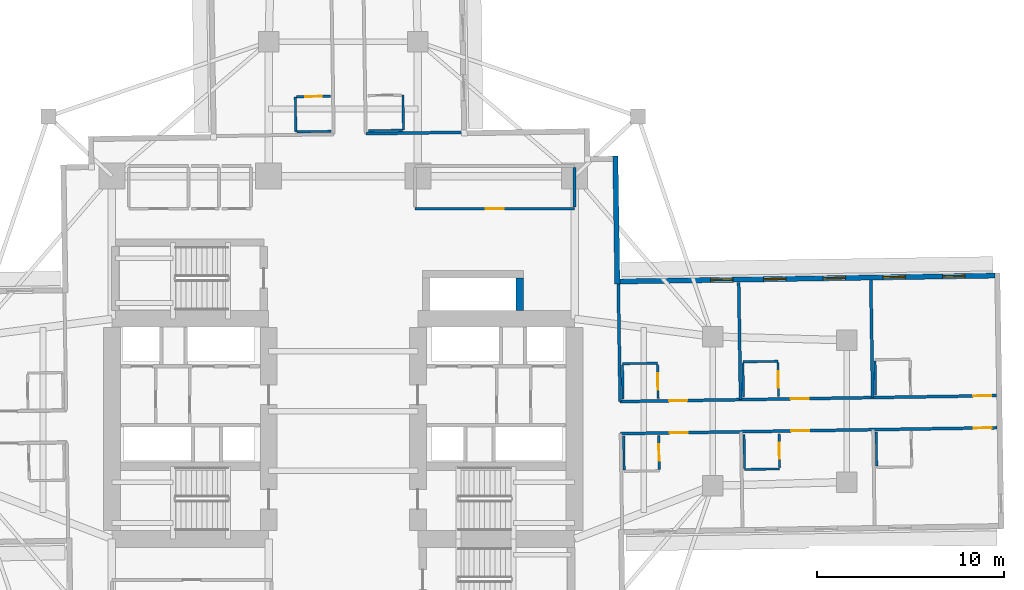
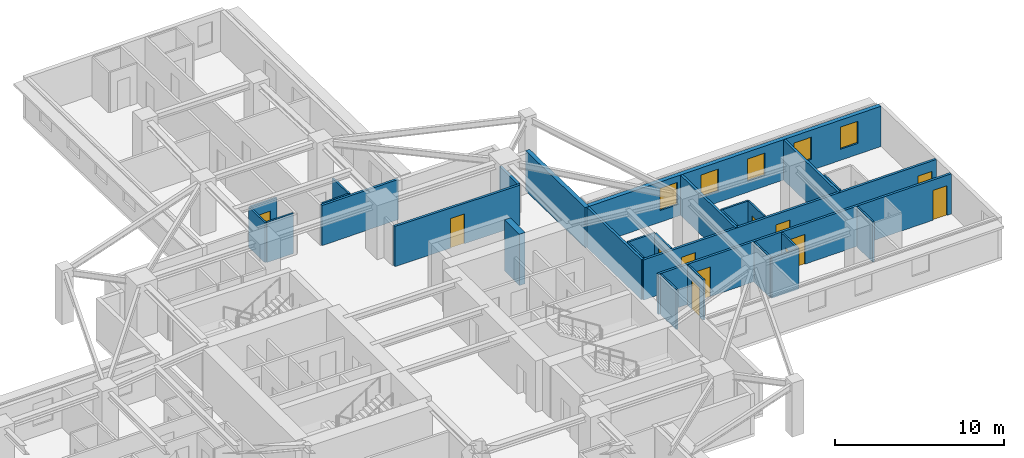
# One storey, part 7 of 14: 29 walls, 12 doors, 5 windows, 17 openings.
"""IFC4 building model written with IfcOpenShell, lengths in metres."""

from ifc_helpers import new_model, si_unit, direction, frame, frame_2d, origin, place, context, subcontext, project, spatial, rectangle, extrude, material, layer, layer_set, type_object, element, fill, save


model = new_model("IFC4")

# Units and contexts
model_context = context("Model", 3, precision=1e-05, world=origin(), true_north=direction((0.0, 1.0)))
body_context = subcontext(model_context, "Body", "Model", "MODEL_VIEW")
ifc_project = project(units=[si_unit("LENGTHUNIT", "METRE"), si_unit("AREAUNIT", "SQUARE_METRE"), si_unit("VOLUMEUNIT", "CUBIC_METRE"), si_unit("PLANEANGLEUNIT", "RADIAN"), si_unit("MASSUNIT", "GRAM", prefix="KILO")], contexts=[model_context])

# Site, building, storey
site_placement = place(None, origin())
site = spatial("IfcSite", under=ifc_project, at=site_placement, CompositionType="ELEMENT")
building_placement = place(site_placement, origin())
building = spatial("IfcBuilding", under=site, at=building_placement, Name="Qingluan Cross Belvedere", CompositionType="ELEMENT")
storey_placement = place(building_placement, frame((0.0, 0.0, 60.0)))
storey = spatial("IfcBuildingStorey", under=building, at=storey_placement, Name="L15", CompositionType="ELEMENT", Elevation=60.0)

# Wall
ifc_material_1 = material(Name="Concrete C50", Category="concrete")
ifc_layer_1 = layer(ifc_material_1, 0.449951171875, Name="CoreShearWall_450")
ifc_layer_set_1 = layer_set([ifc_layer_1], Name="Concrete C50")
wall_type_1 = type_object("IfcWallType", Name="CoreShearWall_450", PredefinedType="SHEAR", material=ifc_layer_set_1)
wall_1_placement = place(storey_placement, frame((9.449951171875, 5.405029296875, 0.0), z_axis=(0.0, 0.0, 1.0), x_axis=(0.0, 1.0, 0.0)))
element("IfcWall", 1, at=wall_1_placement, inside=storey, type_object=wall_type_1, Name="Express shuttle core wall L15-E", PredefinedType="SHEAR", context=body_context, shape_type="SweptSolid", body=[
    extrude(rectangle(XDim=1.73486328125, YDim=0.39990234375, at=frame_2d((0.867431640625, 0.0))), origin(), (0.0, 0.0, 1.0), 3.699951171875),
])

# Wall, opening, door
ifc_material_2 = material(Name="Gypsum plasterboard on steel stud acoustic partition", Category="steel")
ifc_layer_2 = layer(ifc_material_2, 0.159912109375, Name="CorridorPartition_160")
ifc_layer_set_2 = layer_set([ifc_layer_2], Name="Gypsum plasterboard on steel stud acoustic partition")
wall_type_2 = type_object("IfcWallType", Name="CorridorPartition_160", PredefinedType="PARTITIONING", material=ifc_layer_set_2)
wall_2_placement = place(storey_placement, frame((3.85009765625, 10.85009765625, 0.0), z_axis=(0.0, 0.0, 1.0), x_axis=(1.0, 0.0, 0.0)))
wall_2 = element("IfcWall", 2, at=wall_2_placement, inside=storey, type_object=wall_type_2, Name="Partition L15:q_ne:S", PredefinedType="PARTITIONING", context=body_context, shape_type="SweptSolid", body=[
    extrude(rectangle(XDim=8.5498046875, YDim=0.159912109375, at=frame_2d((4.27490234375, 0.0))), origin(), (0.0, 0.0, 1.0), 2.89990234375),
])
opening_1_placement = place(wall_2_placement, frame((3.794921875, 0.0, 0.0)))
opening_1 = element("IfcOpeningElement", 3, at=opening_1_placement, cuts=wall_2, Name="Opening GD-10", PredefinedType="OPENING", context=body_context, shape_type="SweptSolid", body=[
    extrude(rectangle(XDim=0.9599609375, YDim=2.14990234375, at=frame_2d((0.47998046875, 1.074951171875))), frame((0.0, 0.08984375, 0.0), z_axis=(0.0, -1.0, 0.0), x_axis=(1.0, 0.0, 0.0)), (0.0, 0.0, 1.0), 0.179931640625),
])
ifc_material_3 = material(Name="Timber oak fire-rated acoustic guestroom door", Category="wood")
door_type_1 = type_object("IfcDoorType", Name="GuestEntryDoor_FD60", OperationType="NOTDEFINED", PredefinedType="DOOR", material=ifc_material_3)
door_1_placement = place(opening_1_placement, origin())
door_1 = element("IfcDoor", 4, at=door_1_placement, inside=storey, type_object=door_type_1, Name="Wellness yoga studio L15 door", OperationType="SINGLE_SWING_LEFT", OverallHeight=2.14990234375, OverallWidth=0.9599609375, PredefinedType="DOOR", context=body_context, shape_type="SweptSolid", body=[
    extrude(rectangle(XDim=0.9599609375, YDim=2.14990234375, at=frame_2d((0.47998046875, 1.074951171875))), frame((0.0, 0.02490234375, 0.0), z_axis=(0.0, -1.0, 0.0), x_axis=(1.0, 0.0, 0.0)), (0.0, 0.0, 1.0), 0.050048828125),
])
fill(opening_1, door_1)

# Wall
wall_3_placement = place(storey_placement, frame((12.39990234375, 10.93505859375, 0.0), z_axis=(0.0, 0.0, 1.0), x_axis=(0.0, 1.0, 0.0)))
element("IfcWall", 5, at=wall_3_placement, inside=storey, type_object=wall_type_2, Name="Partition L15:q_ne:E", PredefinedType="PARTITIONING", context=body_context, shape_type="SweptSolid", body=[
    extrude(rectangle(XDim=2.1298828125, YDim=0.159912109375, at=frame_2d((1.06494140625, 0.0))), origin(), (0.0, 0.0, 1.0), 2.89990234375),
])

# Wall, openings, doors
wall_4_placement = place(storey_placement, frame((14.84375, 0.51318359375, 0.0), z_axis=(0.0, 0.0, 1.0), x_axis=(0.999876717676, 0.015701893165, 0.0)))
wall_4 = element("IfcWall", 6, at=wall_4_placement, inside=storey, type_object=wall_type_2, Name="Partition L15:E:c0", PredefinedType="PARTITIONING", context=body_context, shape_type="SweptSolid", body=[
    extrude(rectangle(XDim=20.181884765625, YDim=0.159912109375, at=frame_2d((10.0908203125, 0.0))), origin(), (0.0, 0.0, 1.0), 2.89990234375),
])
opening_2_placement = place(wall_4_placement, frame((2.6259765625, 0.0, 0.0)))
opening_2 = element("IfcOpeningElement", 7, at=opening_2_placement, cuts=wall_4, Name="Opening GD-10", PredefinedType="OPENING", context=body_context, shape_type="SweptSolid", body=[
    extrude(rectangle(XDim=0.9599609375, YDim=2.14990234375, at=frame_2d((0.47998046875, 1.074951171875))), frame((0.0, 0.08984375, 0.0), z_axis=(0.0, -1.0, 0.0), x_axis=(1.0, 0.0, 0.0)), (0.0, 0.0, 1.0), 0.179931640625),
])
opening_3_placement = place(wall_4_placement, frame((9.14306640625, 0.0, 0.0)))
opening_3 = element("IfcOpeningElement", 8, at=opening_3_placement, cuts=wall_4, Name="Opening GD-10", PredefinedType="OPENING", context=body_context, shape_type="SweptSolid", body=[
    extrude(rectangle(XDim=0.9599609375, YDim=2.14990234375, at=frame_2d((0.47998046875, 1.074951171875))), frame((0.0, 0.08984375, 0.0), z_axis=(0.0, -1.0, 0.0), x_axis=(1.0, 0.0, 0.0)), (0.0, 0.0, 1.0), 0.179931640625),
])
opening_4_placement = place(wall_4_placement, frame((18.929931640625, 0.0, 0.0)))
opening_4 = element("IfcOpeningElement", 9, at=opening_4_placement, cuts=wall_4, Name="Opening GD-10", PredefinedType="OPENING", context=body_context, shape_type="SweptSolid", body=[
    extrude(rectangle(XDim=0.9599609375, YDim=2.14990234375, at=frame_2d((0.47998046875, 1.074951171875))), frame((0.0, 0.08984375, 0.0), z_axis=(0.0, -1.0, 0.0), x_axis=(1.0, 0.0, 0.0)), (0.0, 0.0, 1.0), 0.179931640625),
])
door_2_placement = place(opening_2_placement, origin())
door_2 = element("IfcDoor", 10, at=door_2_placement, inside=storey, type_object=door_type_1, Name="Guest entry fire door 1501", OperationType="SINGLE_SWING_LEFT", OverallHeight=2.14990234375, OverallWidth=0.9599609375, PredefinedType="DOOR", context=body_context, shape_type="SweptSolid", body=[
    extrude(rectangle(XDim=0.9599609375, YDim=2.14990234375, at=frame_2d((0.47998046875, 1.074951171875))), frame((0.0, 0.02490234375, 0.0), z_axis=(0.0, -1.0, 0.0), x_axis=(1.0, 0.0, 0.0)), (0.0, 0.0, 1.0), 0.050048828125),
])
fill(opening_2, door_2)
door_3_placement = place(opening_3_placement, origin())
door_3 = element("IfcDoor", 11, at=door_3_placement, inside=storey, type_object=door_type_1, Name="Guest entry fire door 1502", OperationType="SINGLE_SWING_LEFT", OverallHeight=2.14990234375, OverallWidth=0.9599609375, PredefinedType="DOOR", context=body_context, shape_type="SweptSolid", body=[
    extrude(rectangle(XDim=0.9599609375, YDim=2.14990234375, at=frame_2d((0.47998046875, 1.074951171875))), frame((0.0, 0.02490234375, 0.0), z_axis=(0.0, -1.0, 0.0), x_axis=(1.0, 0.0, 0.0)), (0.0, 0.0, 1.0), 0.050048828125),
])
fill(opening_3, door_3)
door_4_placement = place(opening_4_placement, origin())
door_4 = element("IfcDoor", 12, at=door_4_placement, inside=storey, type_object=door_type_1, Name="Guest entry fire door 1503", OperationType="SINGLE_SWING_LEFT", OverallHeight=2.14990234375, OverallWidth=0.9599609375, PredefinedType="DOOR", context=body_context, shape_type="SweptSolid", body=[
    extrude(rectangle(XDim=0.9599609375, YDim=2.14990234375, at=frame_2d((0.47998046875, 1.074951171875))), frame((0.0, 0.02490234375, 0.0), z_axis=(0.0, -1.0, 0.0), x_axis=(1.0, 0.0, 0.0)), (0.0, 0.0, 1.0), 0.050048828125),
])
fill(opening_4, door_4)

# Walls
for number, where, z_axis, x_axis, name in (
    (13, (14.84375, 0.51318359375, 0.0), (0.0, 0.0, 1.0), (-0.01571461794, 0.999876517768, 0.0), "Partition L15:E:s0"),
    (14, (21.298095703125, 0.614501953125, 0.0), (0.0, 0.0, 1.0), (-0.01571461794, 0.999876517768, 0.0), "Partition L15:E:d0_0"),
    (15, (28.382080078125, 0.725830078125, 0.0), (0.0, 0.0, 1.0), (-0.01571461794, 0.999876517768, 0.0), "Partition L15:E:d0_1"),
):
    element("IfcWall", number, at=place(storey_placement, frame(where, z_axis=z_axis, x_axis=x_axis)), inside=storey, type_object=wall_type_2, Name=name, PredefinedType="PARTITIONING", context=body_context, shape_type="SweptSolid", body=[
        extrude(rectangle(XDim=6.2919921875, YDim=0.159912109375, at=frame_2d((3.14599609375, 0.0))), origin(), (0.0, 0.0, 1.0), 2.89990234375),
    ])

# Wall, openings, doors
wall_5_placement = place(storey_placement, frame((14.870849609375, -1.20654296875, 0.0), z_axis=(0.0, 0.0, 1.0), x_axis=(0.999876527681, 0.015713987169, 0.0)))
wall_5 = element("IfcWall", 16, at=wall_5_placement, inside=storey, type_object=wall_type_2, Name="Partition L15:E:c1", PredefinedType="PARTITIONING", context=body_context, shape_type="SweptSolid", body=[
    extrude(rectangle(XDim=20.181884765625, YDim=0.159912109375, at=frame_2d((10.0908203125, 0.0))), origin(), (0.0, 0.0, 1.0), 2.89990234375),
])
opening_5_placement = place(wall_5_placement, frame((2.6259765625, 0.0, 0.0)))
opening_5 = element("IfcOpeningElement", 17, at=opening_5_placement, cuts=wall_5, Name="Opening GD-10", PredefinedType="OPENING", context=body_context, shape_type="SweptSolid", body=[
    extrude(rectangle(XDim=0.9599609375, YDim=2.14990234375, at=frame_2d((0.47998046875, 1.074951171875))), frame((0.0, 0.08984375, 0.0), z_axis=(0.0, -1.0, 0.0), x_axis=(1.0, 0.0, 0.0)), (0.0, 0.0, 1.0), 0.179931640625),
])
opening_6_placement = place(wall_5_placement, frame((9.14306640625, 0.0, 0.0)))
opening_6 = element("IfcOpeningElement", 18, at=opening_6_placement, cuts=wall_5, Name="Opening GD-10", PredefinedType="OPENING", context=body_context, shape_type="SweptSolid", body=[
    extrude(rectangle(XDim=0.9599609375, YDim=2.14990234375, at=frame_2d((0.47998046875, 1.074951171875))), frame((0.0, 0.08984375, 0.0), z_axis=(0.0, -1.0, 0.0), x_axis=(1.0, 0.0, 0.0)), (0.0, 0.0, 1.0), 0.179931640625),
])
opening_7_placement = place(wall_5_placement, frame((18.929931640625, 0.0, 0.0)))
opening_7 = element("IfcOpeningElement", 19, at=opening_7_placement, cuts=wall_5, Name="Opening GD-10", PredefinedType="OPENING", context=body_context, shape_type="SweptSolid", body=[
    extrude(rectangle(XDim=0.9599609375, YDim=2.14990234375, at=frame_2d((0.47998046875, 1.074951171875))), frame((0.0, 0.08984375, 0.0), z_axis=(0.0, -1.0, 0.0), x_axis=(1.0, 0.0, 0.0)), (0.0, 0.0, 1.0), 0.179931640625),
])
door_5_placement = place(opening_5_placement, origin())
door_5 = element("IfcDoor", 20, at=door_5_placement, inside=storey, type_object=door_type_1, Name="Guest entry fire door 1504", OperationType="SINGLE_SWING_LEFT", OverallHeight=2.14990234375, OverallWidth=0.9599609375, PredefinedType="DOOR", context=body_context, shape_type="SweptSolid", body=[
    extrude(rectangle(XDim=0.9599609375, YDim=2.14990234375, at=frame_2d((0.47998046875, 1.074951171875))), frame((0.0, 0.02490234375, 0.0), z_axis=(0.0, -1.0, 0.0), x_axis=(1.0, 0.0, 0.0)), (0.0, 0.0, 1.0), 0.050048828125),
])
fill(opening_5, door_5)
door_6_placement = place(opening_6_placement, origin())
door_6 = element("IfcDoor", 21, at=door_6_placement, inside=storey, type_object=door_type_1, Name="Guest entry fire door 1505", OperationType="SINGLE_SWING_LEFT", OverallHeight=2.14990234375, OverallWidth=0.9599609375, PredefinedType="DOOR", context=body_context, shape_type="SweptSolid", body=[
    extrude(rectangle(XDim=0.9599609375, YDim=2.14990234375, at=frame_2d((0.47998046875, 1.074951171875))), frame((0.0, 0.02490234375, 0.0), z_axis=(0.0, -1.0, 0.0), x_axis=(1.0, 0.0, 0.0)), (0.0, 0.0, 1.0), 0.050048828125),
])
fill(opening_6, door_6)
door_7_placement = place(opening_7_placement, origin())
door_7 = element("IfcDoor", 22, at=door_7_placement, inside=storey, type_object=door_type_1, Name="Guest entry fire door 1506", OperationType="SINGLE_SWING_LEFT", OverallHeight=2.14990234375, OverallWidth=0.9599609375, PredefinedType="DOOR", context=body_context, shape_type="SweptSolid", body=[
    extrude(rectangle(XDim=0.9599609375, YDim=2.14990234375, at=frame_2d((0.47998046875, 1.074951171875))), frame((0.0, 0.02490234375, 0.0), z_axis=(0.0, -1.0, 0.0), x_axis=(1.0, 0.0, 0.0)), (0.0, 0.0, 1.0), 0.050048828125),
])
fill(opening_7, door_7)

# Wall
wall_6_placement = place(storey_placement, frame((1.20654296875, 14.870849609375, 0.0), z_axis=(0.0, 0.0, 1.0), x_axis=(0.999877138082, 0.015675099418, 0.0)))
element("IfcWall", 23, at=wall_6_placement, inside=storey, type_object=wall_type_2, Name="Partition L15:N:s0", PredefinedType="PARTITIONING", context=body_context, shape_type="SweptSolid", body=[
    extrude(rectangle(XDim=5.280029296875, YDim=0.159912109375, at=frame_2d((2.64013671875, 0.0))), origin(), (0.0, 0.0, 1.0), 2.89990234375),
])

# Wall, opening, door
ifc_material_4 = material(Name="Moisture-resistant gypsum board lining")
ifc_layer_3 = layer(ifc_material_4, 0.1201171875, Name="EnsuiteWetPartition_120")
ifc_layer_set_3 = layer_set([ifc_layer_3], Name="Moisture-resistant gypsum board lining")
wall_type_3 = type_object("IfcWallType", Name="EnsuiteWetPartition_120", PredefinedType="PARTITIONING", material=ifc_layer_set_3)
wall_7_placement = place(storey_placement, frame((16.88134765625, 0.685302734375, 0.0), z_axis=(0.0, 0.0, 1.0), x_axis=(-0.015696442504, 0.999876803258, 0.0)))
wall_7 = element("IfcWall", 24, at=wall_7_placement, inside=storey, type_object=wall_type_3, Name="Partition L15:E:bs0_0", PredefinedType="PARTITIONING", context=body_context, shape_type="SweptSolid", body=[
    extrude(rectangle(XDim=1.81982421875, YDim=0.1201171875, at=frame_2d((0.909912109375, 0.0))), origin(), (0.0, 0.0, 1.0), 2.89990234375),
])
opening_8_placement = place(wall_7_placement, frame((0.469970703125, 0.0, 0.0)))
opening_8 = element("IfcOpeningElement", 25, at=opening_8_placement, cuts=wall_7, Name="Opening BD-09", PredefinedType="OPENING", context=body_context, shape_type="SweptSolid", body=[
    extrude(rectangle(XDim=0.8798828125, YDim=2.10009765625, at=frame_2d((0.43994140625, 1.050048828125))), frame((0.0, 0.070068359375, 0.0), z_axis=(0.0, -1.0, 0.0), x_axis=(1.0, 0.0, 0.0)), (0.0, 0.0, 1.0), 0.14013671875),
])
ifc_material_5 = material(Name="Moisture-sealed timber en-suite door", Category="wood")
door_type_2 = type_object("IfcDoorType", Name="BathroomDoor_880", OperationType="NOTDEFINED", PredefinedType="DOOR", material=ifc_material_5)
door_8_placement = place(opening_8_placement, origin())
door_8 = element("IfcDoor", 26, at=door_8_placement, inside=storey, type_object=door_type_2, Name="Bathroom door 1501", OperationType="SINGLE_SWING_RIGHT", OverallHeight=2.10009765625, OverallWidth=0.8798828125, PredefinedType="DOOR", context=body_context, shape_type="SweptSolid", body=[
    extrude(rectangle(XDim=0.8798828125, YDim=2.10009765625, at=frame_2d((0.43994140625, 1.050048828125))), frame((0.0, 0.02490234375, 0.0), z_axis=(0.0, -1.0, 0.0), x_axis=(1.0, 0.0, 0.0)), (0.0, 0.0, 1.0), 0.050048828125),
])
fill(opening_8, door_8)

# Walls
wall_8_placement = place(storey_placement, frame((15.001708984375, 0.65576171875, 0.0), z_axis=(0.0, 0.0, 1.0), x_axis=(-0.015828443418, 0.999874722342, 0.0)))
element("IfcWall", 27, at=wall_8_placement, inside=storey, type_object=wall_type_3, Name="Partition L15:E:bw0_0", PredefinedType="PARTITIONING", context=body_context, shape_type="SweptSolid", body=[
    extrude(rectangle(XDim=1.820068359375, YDim=0.1201171875, at=frame_2d((0.91015625, 0.0))), origin(), (0.0, 0.0, 1.0), 2.89990234375),
])
wall_9_placement = place(storey_placement, frame((14.971923828125, 2.54052734375, 0.0), z_axis=(0.0, 0.0, 1.0), x_axis=(0.999876553475, 0.01571234584, 0.0)))
element("IfcWall", 28, at=wall_9_placement, inside=storey, type_object=wall_type_3, Name="Partition L15:E:bn0_0", PredefinedType="PARTITIONING", context=body_context, shape_type="SweptSolid", body=[
    extrude(rectangle(XDim=1.880126953125, YDim=0.1201171875, at=frame_2d((0.93994140625, 0.0))), origin(), (0.0, 0.0, 1.0), 2.89990234375),
])

# Wall, opening, door
wall_10_placement = place(storey_placement, frame((23.33544921875, 0.78662109375, 0.0), z_axis=(0.0, 0.0, 1.0), x_axis=(-0.015694337248, 0.999876836305, 0.0)))
wall_10 = element("IfcWall", 29, at=wall_10_placement, inside=storey, type_object=wall_type_3, Name="Partition L15:E:bs0_1", PredefinedType="PARTITIONING", context=body_context, shape_type="SweptSolid", body=[
    extrude(rectangle(XDim=1.820068359375, YDim=0.1201171875, at=frame_2d((0.91015625, 0.0))), origin(), (0.0, 0.0, 1.0), 2.89990234375),
])
opening_9_placement = place(wall_10_placement, frame((0.469970703125, 0.0, 0.0)))
opening_9 = element("IfcOpeningElement", 30, at=opening_9_placement, cuts=wall_10, Name="Opening BD-09", PredefinedType="OPENING", context=body_context, shape_type="SweptSolid", body=[
    extrude(rectangle(XDim=0.8798828125, YDim=2.10009765625, at=frame_2d((0.43994140625, 1.050048828125))), frame((0.0, 0.070068359375, 0.0), z_axis=(0.0, -1.0, 0.0), x_axis=(1.0, 0.0, 0.0)), (0.0, 0.0, 1.0), 0.14013671875),
])
door_9_placement = place(opening_9_placement, origin())
door_9 = element("IfcDoor", 31, at=door_9_placement, inside=storey, type_object=door_type_2, Name="Bathroom door 1502", OperationType="SINGLE_SWING_RIGHT", OverallHeight=2.10009765625, OverallWidth=0.8798828125, PredefinedType="DOOR", context=body_context, shape_type="SweptSolid", body=[
    extrude(rectangle(XDim=0.8798828125, YDim=2.10009765625, at=frame_2d((0.43994140625, 1.050048828125))), frame((0.0, 0.02490234375, 0.0), z_axis=(0.0, -1.0, 0.0), x_axis=(1.0, 0.0, 0.0)), (0.0, 0.0, 1.0), 0.050048828125),
])
fill(opening_9, door_9)

# Walls
wall_11_placement = place(storey_placement, frame((21.455810546875, 0.757080078125, 0.0), z_axis=(0.0, 0.0, 1.0), x_axis=(-0.015694337248, 0.999876836305, 0.0)))
element("IfcWall", 32, at=wall_11_placement, inside=storey, type_object=wall_type_3, Name="Partition L15:E:bw0_1", PredefinedType="PARTITIONING", context=body_context, shape_type="SweptSolid", body=[
    extrude(rectangle(XDim=1.820068359375, YDim=0.1201171875, at=frame_2d((0.91015625, 0.0))), origin(), (0.0, 0.0, 1.0), 2.89990234375),
])
wall_12_placement = place(storey_placement, frame((21.426025390625, 2.641845703125, 0.0), z_axis=(0.0, 0.0, 1.0), x_axis=(0.999876553475, 0.01571234584, 0.0)))
element("IfcWall", 33, at=wall_12_placement, inside=storey, type_object=wall_type_3, Name="Partition L15:E:bn0_1", PredefinedType="PARTITIONING", context=body_context, shape_type="SweptSolid", body=[
    extrude(rectangle(XDim=1.880126953125, YDim=0.1201171875, at=frame_2d((0.93994140625, 0.0))), origin(), (0.0, 0.0, 1.0), 2.89990234375),
])
wall_13_placement = place(storey_placement, frame((28.539794921875, 0.868408203125, 0.0), z_axis=(0.0, 0.0, 1.0), x_axis=(-0.015694337248, 0.999876836305, 0.0)))
element("IfcWall", 34, at=wall_13_placement, inside=storey, type_object=wall_type_3, Name="Partition L15:E:bw0_2", PredefinedType="PARTITIONING", context=body_context, shape_type="SweptSolid", body=[
    extrude(rectangle(XDim=1.820068359375, YDim=0.1201171875, at=frame_2d((0.91015625, 0.0))), origin(), (0.0, 0.0, 1.0), 2.89990234375),
])

# Wall, opening, door
wall_14_placement = place(storey_placement, frame((16.94140625, -3.13427734375, 0.0), z_axis=(0.0, 0.0, 1.0), x_axis=(-0.015828443418, 0.999874722342, 0.0)))
wall_14 = element("IfcWall", 35, at=wall_14_placement, inside=storey, type_object=wall_type_3, Name="Partition L15:E:bs1_0", PredefinedType="PARTITIONING", context=body_context, shape_type="SweptSolid", body=[
    extrude(rectangle(XDim=1.820068359375, YDim=0.1201171875, at=frame_2d((0.91015625, 0.0))), origin(), (0.0, 0.0, 1.0), 2.89990234375),
])
opening_10_placement = place(wall_14_placement, frame((0.469970703125, 0.0, 0.0)))
opening_10 = element("IfcOpeningElement", 36, at=opening_10_placement, cuts=wall_14, Name="Opening BD-09", PredefinedType="OPENING", context=body_context, shape_type="SweptSolid", body=[
    extrude(rectangle(XDim=0.8798828125, YDim=2.10009765625, at=frame_2d((0.43994140625, 1.050048828125))), frame((0.0, 0.070068359375, 0.0), z_axis=(0.0, -1.0, 0.0), x_axis=(1.0, 0.0, 0.0)), (0.0, 0.0, 1.0), 0.14013671875),
])
door_10_placement = place(opening_10_placement, origin())
door_10 = element("IfcDoor", 37, at=door_10_placement, inside=storey, type_object=door_type_2, Name="Bathroom door 1504", OperationType="SINGLE_SWING_RIGHT", OverallHeight=2.10009765625, OverallWidth=0.8798828125, PredefinedType="DOOR", context=body_context, shape_type="SweptSolid", body=[
    extrude(rectangle(XDim=0.8798828125, YDim=2.10009765625, at=frame_2d((0.43994140625, 1.050048828125))), frame((0.0, 0.02490234375, 0.0), z_axis=(0.0, -1.0, 0.0), x_axis=(1.0, 0.0, 0.0)), (0.0, 0.0, 1.0), 0.050048828125),
])
fill(opening_10, door_10)

# Wall
wall_15_placement = place(storey_placement, frame((15.0615234375, -3.163818359375, 0.0), z_axis=(0.0, 0.0, 1.0), x_axis=(-0.015694337248, 0.999876836305, 0.0)))
element("IfcWall", 38, at=wall_15_placement, inside=storey, type_object=wall_type_3, Name="Partition L15:E:bw1_0", PredefinedType="PARTITIONING", context=body_context, shape_type="SweptSolid", body=[
    extrude(rectangle(XDim=1.820068359375, YDim=0.1201171875, at=frame_2d((0.91015625, 0.0))), origin(), (0.0, 0.0, 1.0), 2.89990234375),
])

# Wall, opening, door
wall_16_placement = place(storey_placement, frame((23.3955078125, -3.032958984375, 0.0), z_axis=(0.0, 0.0, 1.0), x_axis=(-0.015694337248, 0.999876836305, 0.0)))
wall_16 = element("IfcWall", 39, at=wall_16_placement, inside=storey, type_object=wall_type_3, Name="Partition L15:E:bs1_1", PredefinedType="PARTITIONING", context=body_context, shape_type="SweptSolid", body=[
    extrude(rectangle(XDim=1.820068359375, YDim=0.1201171875, at=frame_2d((0.91015625, 0.0))), origin(), (0.0, 0.0, 1.0), 2.89990234375),
])
opening_11_placement = place(wall_16_placement, frame((0.469970703125, 0.0, 0.0)))
opening_11 = element("IfcOpeningElement", 40, at=opening_11_placement, cuts=wall_16, Name="Opening BD-09", PredefinedType="OPENING", context=body_context, shape_type="SweptSolid", body=[
    extrude(rectangle(XDim=0.8798828125, YDim=2.10009765625, at=frame_2d((0.43994140625, 1.050048828125))), frame((0.0, 0.070068359375, 0.0), z_axis=(0.0, -1.0, 0.0), x_axis=(1.0, 0.0, 0.0)), (0.0, 0.0, 1.0), 0.14013671875),
])
door_11_placement = place(opening_11_placement, origin())
door_11 = element("IfcDoor", 41, at=door_11_placement, inside=storey, type_object=door_type_2, Name="Bathroom door 1505", OperationType="SINGLE_SWING_RIGHT", OverallHeight=2.10009765625, OverallWidth=0.8798828125, PredefinedType="DOOR", context=body_context, shape_type="SweptSolid", body=[
    extrude(rectangle(XDim=0.8798828125, YDim=2.10009765625, at=frame_2d((0.43994140625, 1.050048828125))), frame((0.0, 0.02490234375, 0.0), z_axis=(0.0, -1.0, 0.0), x_axis=(1.0, 0.0, 0.0)), (0.0, 0.0, 1.0), 0.050048828125),
])
fill(opening_11, door_11)

# Walls
wall_17_placement = place(storey_placement, frame((21.515869140625, -3.0625, 0.0), z_axis=(0.0, 0.0, 1.0), x_axis=(-0.015694337248, 0.999876836305, 0.0)))
element("IfcWall", 42, at=wall_17_placement, inside=storey, type_object=wall_type_3, Name="Partition L15:E:bw1_1", PredefinedType="PARTITIONING", context=body_context, shape_type="SweptSolid", body=[
    extrude(rectangle(XDim=1.820068359375, YDim=0.1201171875, at=frame_2d((0.91015625, 0.0))), origin(), (0.0, 0.0, 1.0), 2.89990234375),
])
wall_18_placement = place(storey_placement, frame((21.516845703125, -3.12744140625, 0.0), z_axis=(0.0, 0.0, 1.0), x_axis=(0.99987652141, 0.015714386166, 0.0)))
element("IfcWall", 43, at=wall_18_placement, inside=storey, type_object=wall_type_3, Name="Partition L15:E:bc1_1", PredefinedType="PARTITIONING", context=body_context, shape_type="SweptSolid", body=[
    extrude(rectangle(XDim=1.8798828125, YDim=0.1201171875, at=frame_2d((0.93994140625, 0.0))), origin(), (0.0, 0.0, 1.0), 2.89990234375),
])
for number, where, z_axis, x_axis, name in (
    (44, (28.599853515625, -2.951171875, 0.0), (0.0, 0.0, 1.0), (-0.015694337248, 0.999876836305, 0.0), "Partition L15:E:bw1_2"),
    (45, (1.343994140625, 15.032958984375, 0.0), (0.0, 0.0, 1.0), (0.999876836305, 0.015694337248, 0.0), "Partition L15:N:bw0_0"),
):
    element("IfcWall", number, at=place(storey_placement, frame(where, z_axis=z_axis, x_axis=x_axis)), inside=storey, type_object=wall_type_3, Name=name, PredefinedType="PARTITIONING", context=body_context, shape_type="SweptSolid", body=[
        extrude(rectangle(XDim=1.820068359375, YDim=0.1201171875, at=frame_2d((0.91015625, 0.0))), origin(), (0.0, 0.0, 1.0), 2.89990234375),
    ])
wall_19_placement = place(storey_placement, frame((3.228759765625, 15.0625, 0.0), z_axis=(0.0, 0.0, 1.0), x_axis=(-0.01571234584, 0.999876553475, 0.0)))
element("IfcWall", 46, at=wall_19_placement, inside=storey, type_object=wall_type_3, Name="Partition L15:N:bn0_0", PredefinedType="PARTITIONING", context=body_context, shape_type="SweptSolid", body=[
    extrude(rectangle(XDim=1.880126953125, YDim=0.1201171875, at=frame_2d((0.93994140625, 0.0))), origin(), (0.0, 0.0, 1.0), 2.89990234375),
])

# Wall, opening, door
wall_20_placement = place(storey_placement, frame((-2.5048828125, 16.852783203125, 0.0), z_axis=(0.0, 0.0, 1.0), x_axis=(0.999876803258, 0.015696442504, 0.0)))
wall_20 = element("IfcWall", 47, at=wall_20_placement, inside=storey, type_object=wall_type_3, Name="Partition L15:N:bs1_0", PredefinedType="PARTITIONING", context=body_context, shape_type="SweptSolid", body=[
    extrude(rectangle(XDim=1.81982421875, YDim=0.1201171875, at=frame_2d((0.909912109375, 0.0))), origin(), (0.0, 0.0, 1.0), 2.89990234375),
])
opening_12_placement = place(wall_20_placement, frame((0.469970703125, 0.0, 0.0)))
opening_12 = element("IfcOpeningElement", 48, at=opening_12_placement, cuts=wall_20, Name="Opening BD-09", PredefinedType="OPENING", context=body_context, shape_type="SweptSolid", body=[
    extrude(rectangle(XDim=0.8798828125, YDim=2.10009765625, at=frame_2d((0.43994140625, 1.050048828125))), frame((0.0, 0.070068359375, 0.0), z_axis=(0.0, -1.0, 0.0), x_axis=(1.0, 0.0, 0.0)), (0.0, 0.0, 1.0), 0.14013671875),
])
door_12_placement = place(opening_12_placement, origin())
door_12 = element("IfcDoor", 49, at=door_12_placement, inside=storey, type_object=door_type_2, Name="Bathroom door 1515", OperationType="SINGLE_SWING_RIGHT", OverallHeight=2.10009765625, OverallWidth=0.8798828125, PredefinedType="DOOR", context=body_context, shape_type="SweptSolid", body=[
    extrude(rectangle(XDim=0.8798828125, YDim=2.10009765625, at=frame_2d((0.43994140625, 1.050048828125))), frame((0.0, 0.02490234375, 0.0), z_axis=(0.0, -1.0, 0.0), x_axis=(1.0, 0.0, 0.0)), (0.0, 0.0, 1.0), 0.050048828125),
])
fill(opening_12, door_12)

# Walls
wall_21_placement = place(storey_placement, frame((-2.4755859375, 14.972900390625, 0.0), z_axis=(0.0, 0.0, 1.0), x_axis=(0.999874722342, 0.015828443418, 0.0)))
element("IfcWall", 50, at=wall_21_placement, inside=storey, type_object=wall_type_3, Name="Partition L15:N:bw1_0", PredefinedType="PARTITIONING", context=body_context, shape_type="SweptSolid", body=[
    extrude(rectangle(XDim=1.820068359375, YDim=0.1201171875, at=frame_2d((0.91015625, 0.0))), origin(), (0.0, 0.0, 1.0), 2.89990234375),
])
wall_22_placement = place(storey_placement, frame((-2.54052734375, 14.971923828125, 0.0), z_axis=(0.0, 0.0, 1.0), x_axis=(-0.01571234584, 0.999876553475, 0.0)))
element("IfcWall", 51, at=wall_22_placement, inside=storey, type_object=wall_type_3, Name="Partition L15:N:bc1_0", PredefinedType="PARTITIONING", context=body_context, shape_type="SweptSolid", body=[
    extrude(rectangle(XDim=1.880126953125, YDim=0.1201171875, at=frame_2d((0.93994140625, 0.0))), origin(), (0.0, 0.0, 1.0), 2.89990234375),
])

# Wall, openings, windows
ifc_material_6 = material(Name="Precast concrete C45", Category="concrete")
ifc_layer_4 = layer(ifc_material_6, 0.280029296875, Name="PrecastFacadeWall_280")
ifc_layer_set_4 = layer_set([ifc_layer_4], Name="Precast concrete C45")
wall_type_4 = type_object("IfcWallType", Name="PrecastFacadeWall_280", PredefinedType="STANDARD", material=ifc_layer_set_4)
wall_23_placement = place(storey_placement, frame((34.93017578125, 7.26953125, 0.0), z_axis=(0.0, 0.0, 1.0), x_axis=(-0.999876667941, -0.015705059908, 0.0)))
wall_23 = element("IfcWall", 52, at=wall_23_placement, inside=storey, type_object=wall_type_4, Name="Facade wall L15-EB", PredefinedType="STANDARD", context=body_context, shape_type="SweptSolid", body=[
    extrude(rectangle(XDim=20.10009765625, YDim=0.280029296875, at=frame_2d((10.050048828125, 0.0))), origin(), (0.0, 0.0, 1.0), 2.909912109375),
])
opening_13_placement = place(wall_23_placement, frame((1.60009765625, 0.0, 0.800048828125)))
opening_13 = element("IfcOpeningElement", 53, at=opening_13_placement, cuts=wall_23, Name="Opening W-02", PredefinedType="OPENING", context=body_context, shape_type="SweptSolid", body=[
    extrude(rectangle(XDim=1.199951171875, YDim=1.60009765625, at=frame_2d((0.60009765625, 0.800048828125))), frame((0.0, 0.14990234375, 0.0), z_axis=(0.0, -1.0, 0.0), x_axis=(1.0, 0.0, 0.0)), (0.0, 0.0, 1.0), 0.300048828125),
])
opening_14_placement = place(wall_23_placement, frame((4.800048828125, 0.0, 0.800048828125)))
opening_14 = element("IfcOpeningElement", 54, at=opening_14_placement, cuts=wall_23, Name="Opening W-02", PredefinedType="OPENING", context=body_context, shape_type="SweptSolid", body=[
    extrude(rectangle(XDim=1.199951171875, YDim=1.60009765625, at=frame_2d((0.60009765625, 0.800048828125))), frame((0.0, 0.14990234375, 0.0), z_axis=(0.0, -1.0, 0.0), x_axis=(1.0, 0.0, 0.0)), (0.0, 0.0, 1.0), 0.300048828125),
])
opening_15_placement = place(wall_23_placement, frame((8.0, 0.0, 0.800048828125)))
opening_15 = element("IfcOpeningElement", 55, at=opening_15_placement, cuts=wall_23, Name="Opening W-02", PredefinedType="OPENING", context=body_context, shape_type="SweptSolid", body=[
    extrude(rectangle(XDim=1.199951171875, YDim=1.60009765625, at=frame_2d((0.60009765625, 0.800048828125))), frame((0.0, 0.14990234375, 0.0), z_axis=(0.0, -1.0, 0.0), x_axis=(1.0, 0.0, 0.0)), (0.0, 0.0, 1.0), 0.300048828125),
])
opening_16_placement = place(wall_23_placement, frame((11.199951171875, 0.0, 0.800048828125)))
opening_16 = element("IfcOpeningElement", 56, at=opening_16_placement, cuts=wall_23, Name="Opening W-02", PredefinedType="OPENING", context=body_context, shape_type="SweptSolid", body=[
    extrude(rectangle(XDim=1.199951171875, YDim=1.60009765625, at=frame_2d((0.60009765625, 0.800048828125))), frame((0.0, 0.14990234375, 0.0), z_axis=(0.0, -1.0, 0.0), x_axis=(1.0, 0.0, 0.0)), (0.0, 0.0, 1.0), 0.300048828125),
])
opening_17_placement = place(wall_23_placement, frame((14.034912109375, 0.0, 0.85009765625)))
opening_17 = element("IfcOpeningElement", 57, at=opening_17_placement, cuts=wall_23, Name="Opening W-02", PredefinedType="OPENING", context=body_context, shape_type="SweptSolid", body=[
    extrude(rectangle(XDim=1.199951171875, YDim=1.60009765625, at=frame_2d((0.60009765625, 0.800048828125))), frame((0.0, 0.14990234375, 0.0), z_axis=(0.0, -1.0, 0.0), x_axis=(1.0, 0.0, 0.0)), (0.0, 0.0, 1.0), 0.300048828125),
])
ifc_material_7 = material(Name="Thermally broken triple Low-E glass in aluminium frame", Category="aluminium")
window_type = type_object("IfcWindowType", Name="TriRibbonWin_1200x1600", PartitioningType="SINGLE_PANEL", PredefinedType="WINDOW", material=ifc_material_7)
window_1_placement = place(opening_13_placement, origin())
window_1 = element("IfcWindow", 58, at=window_1_placement, inside=storey, type_object=window_type, Name="Ribbon window L15-EB-1", OverallHeight=1.60009765625, OverallWidth=1.199951171875, PartitioningType="SINGLE_PANEL", PredefinedType="WINDOW", context=body_context, shape_type="SweptSolid", body=[
    extrude(rectangle(XDim=1.199951171875, YDim=1.60009765625, at=frame_2d((0.60009765625, 0.800048828125))), frame((0.0, 0.030029296875, 0.0), z_axis=(0.0, -1.0, 0.0), x_axis=(1.0, 0.0, 0.0)), (0.0, 0.0, 1.0), 0.06005859375),
])
fill(opening_13, window_1)
window_2_placement = place(opening_14_placement, origin())
window_2 = element("IfcWindow", 59, at=window_2_placement, inside=storey, type_object=window_type, Name="Ribbon window L15-EB-2", OverallHeight=1.60009765625, OverallWidth=1.199951171875, PartitioningType="SINGLE_PANEL", PredefinedType="WINDOW", context=body_context, shape_type="SweptSolid", body=[
    extrude(rectangle(XDim=1.199951171875, YDim=1.60009765625, at=frame_2d((0.60009765625, 0.800048828125))), frame((0.0, 0.030029296875, 0.0), z_axis=(0.0, -1.0, 0.0), x_axis=(1.0, 0.0, 0.0)), (0.0, 0.0, 1.0), 0.06005859375),
])
fill(opening_14, window_2)
window_3_placement = place(opening_15_placement, origin())
window_3 = element("IfcWindow", 60, at=window_3_placement, inside=storey, type_object=window_type, Name="Ribbon window L15-EB-3", OverallHeight=1.60009765625, OverallWidth=1.199951171875, PartitioningType="SINGLE_PANEL", PredefinedType="WINDOW", context=body_context, shape_type="SweptSolid", body=[
    extrude(rectangle(XDim=1.199951171875, YDim=1.60009765625, at=frame_2d((0.60009765625, 0.800048828125))), frame((0.0, 0.030029296875, 0.0), z_axis=(0.0, -1.0, 0.0), x_axis=(1.0, 0.0, 0.0)), (0.0, 0.0, 1.0), 0.06005859375),
])
fill(opening_15, window_3)
window_4_placement = place(opening_16_placement, origin())
window_4 = element("IfcWindow", 61, at=window_4_placement, inside=storey, type_object=window_type, Name="Ribbon window L15-EB-4", OverallHeight=1.60009765625, OverallWidth=1.199951171875, PartitioningType="SINGLE_PANEL", PredefinedType="WINDOW", context=body_context, shape_type="SweptSolid", body=[
    extrude(rectangle(XDim=1.199951171875, YDim=1.60009765625, at=frame_2d((0.60009765625, 0.800048828125))), frame((0.0, 0.030029296875, 0.0), z_axis=(0.0, -1.0, 0.0), x_axis=(1.0, 0.0, 0.0)), (0.0, 0.0, 1.0), 0.06005859375),
])
fill(opening_16, window_4)
window_5_placement = place(opening_17_placement, origin())
window_5 = element("IfcWindow", 62, at=window_5_placement, inside=storey, type_object=window_type, Name="Deluxe guest room 1501 daylight window", OverallHeight=1.60009765625, OverallWidth=1.199951171875, PartitioningType="SINGLE_PANEL", PredefinedType="WINDOW", context=body_context, shape_type="SweptSolid", body=[
    extrude(rectangle(XDim=1.199951171875, YDim=1.60009765625, at=frame_2d((0.60009765625, 0.800048828125))), frame((0.0, 0.030029296875, 0.0), z_axis=(0.0, -1.0, 0.0), x_axis=(1.0, 0.0, 0.0)), (0.0, 0.0, 1.0), 0.06005859375),
])
fill(opening_17, window_5)

# Wall
wall_24_placement = place(storey_placement, frame((14.69482421875, 6.811767578125, 0.0), z_axis=(0.0, 0.0, 1.0), x_axis=(-0.015694809807, 0.999876828887, 0.0)))
element("IfcWall", 63, at=wall_24_placement, inside=storey, type_object=wall_type_4, Name="Corner wall L15-NE1", PredefinedType="STANDARD", context=body_context, shape_type="SweptSolid", body=[
    extrude(rectangle(XDim=6.85986328125, YDim=0.280029296875, at=frame_2d((3.429931640625, 0.0))), origin(), (0.0, 0.0, 1.0), 2.909912109375),
])

save(model, "model.ifc")
